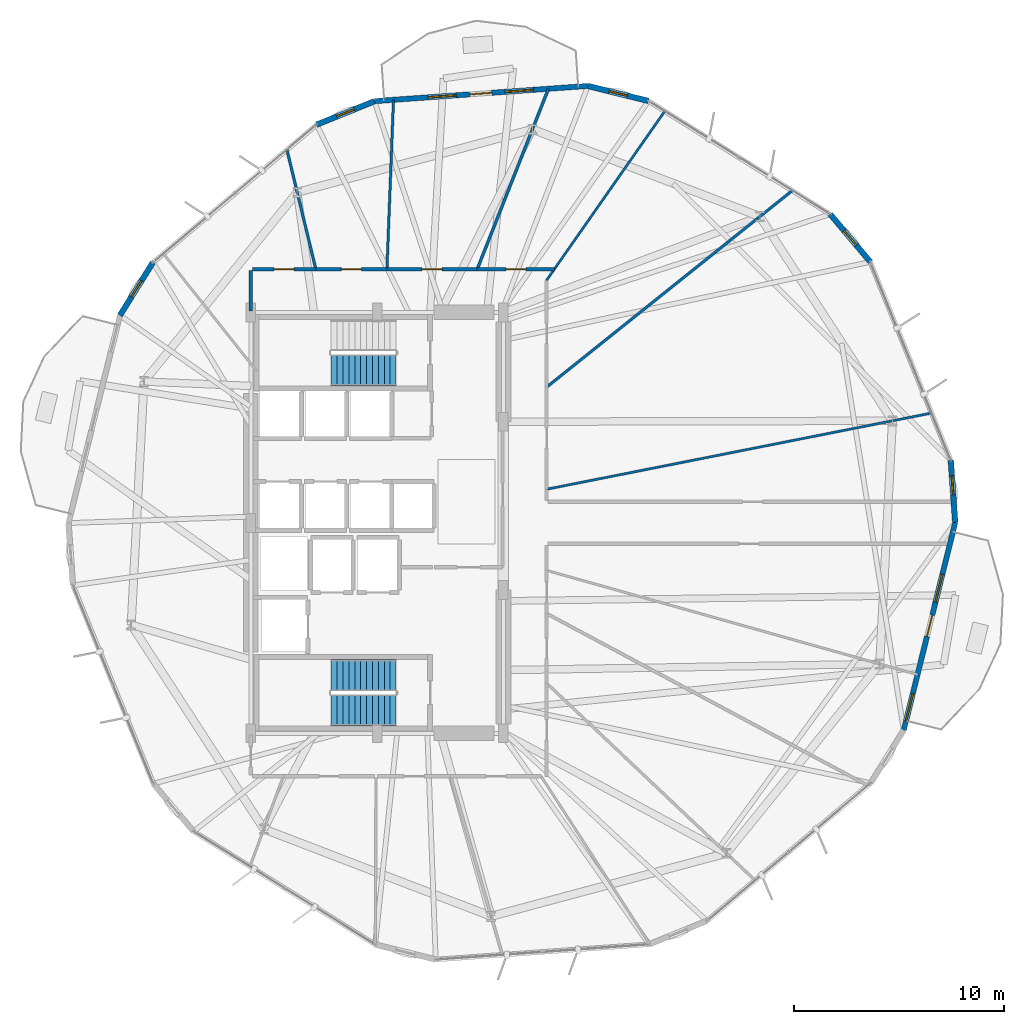
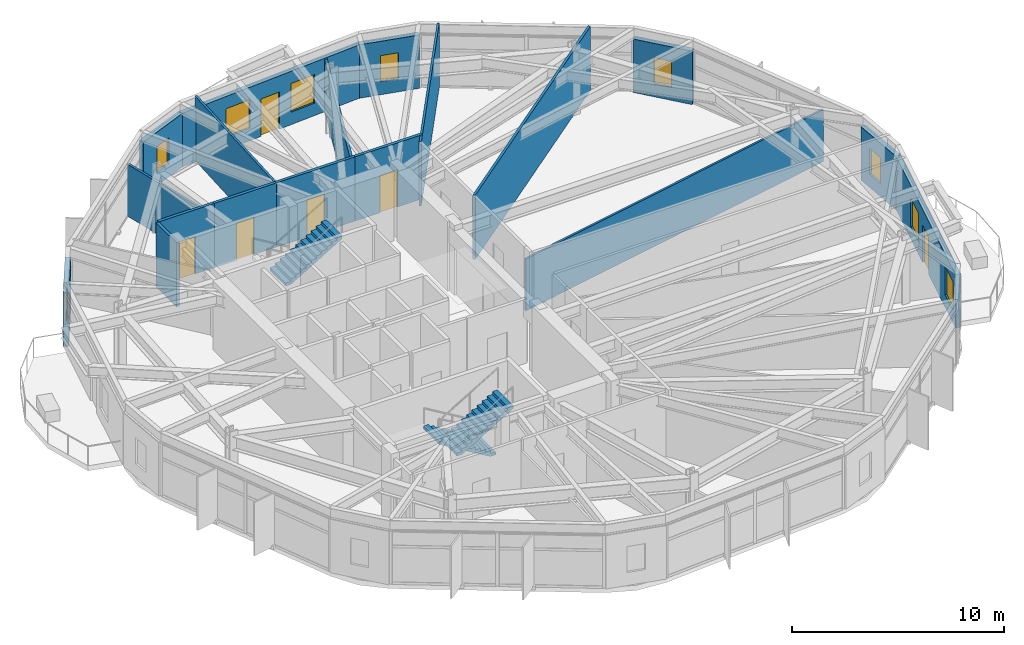
# One storey, part 18 of 22: 18 walls, 9 windows, 6 doors, 3 stair flights, 15 openings, 2 elements without a shape of their own.
"""IFC4 building model written with IfcOpenShell, lengths in metres."""

from ifc_helpers import new_model, si_unit, direction, frame, frame_2d, origin, place, context, subcontext, project, spatial, polyline, rectangle, outline, extrude, material, layer, layer_set, type_object, element, fill, aggregate, save


model = new_model("IFC4")

# Units and contexts
model_context = context("Model", 3, precision=1e-05, world=origin(), true_north=direction((0.0, 1.0)))
body_context = subcontext(model_context, "Body", "Model", "MODEL_VIEW")
ifc_project = project(units=[si_unit("LENGTHUNIT", "METRE"), si_unit("AREAUNIT", "SQUARE_METRE"), si_unit("VOLUMEUNIT", "CUBIC_METRE"), si_unit("PLANEANGLEUNIT", "RADIAN"), si_unit("MASSUNIT", "GRAM", prefix="KILO")], contexts=[model_context])

# Site, building, storey
site_placement = place(None, origin())
site = spatial("IfcSite", under=ifc_project, at=site_placement, CompositionType="ELEMENT")
building_placement = place(site_placement, origin())
building = spatial("IfcBuilding", under=site, at=building_placement, Name="Soratama Intermodal Tower", CompositionType="ELEMENT")
storey_placement = place(building_placement, frame((0.0, 0.0, 42.60009765625)))
storey = spatial("IfcBuildingStorey", under=building, at=storey_placement, Name="L09", CompositionType="ELEMENT", Elevation=42.60009765625)

# Wall, openings, door, windows
ifc_material_1 = material(Name="Concrete f'c 42 MPa", Category="concrete")
ifc_layer_1 = layer(ifc_material_1, 0.25)
ifc_layer_set_1 = layer_set([ifc_layer_1], Name="Concrete f'c 42 MPa")
wall_type_1 = type_object("IfcWallType", Name="EW-BAL-250", PredefinedType="SOLIDWALL", material=ifc_layer_set_1)
wall_1_placement = place(storey_placement, frame((48.615234375, 45.75244140625, 0.0), z_axis=(0.0, 0.0, 1.0), x_axis=(-0.997466374724, -0.071139519923, 0.0)))
wall_1 = element("IfcWall", 1, at=wall_1_placement, inside=storey, type_object=wall_type_1, Name="L09 Terrace Wall F03", PredefinedType="SOLIDWALL", context=body_context, shape_type="SweptSolid", body=[
    extrude(rectangle(XDim=10.1650390625, YDim=0.25, at=frame_2d((5.08251953125, 0.0))), origin(), (0.0, 0.0, 1.0), 3.078857421875),
])
opening_1_placement = place(wall_1_placement, frame((4.58251953125, 0.0, 0.0)))
opening_1 = element("IfcOpeningElement", 2, at=opening_1_placement, cuts=wall_1, Name="Opening ED-5", PredefinedType="OPENING", context=body_context, shape_type="SweptSolid", body=[
    extrude(rectangle(XDim=1.050048828125, YDim=2.14990234375, at=frame_2d((0.52490234375, 1.074951171875))), frame((0.0, 0.135009765625, 0.0), z_axis=(0.0, -1.0, 0.0), x_axis=(1.0, 0.0, 0.0)), (0.0, 0.0, 1.0), 0.27001953125),
])
opening_2_placement = place(wall_1_placement, frame((2.592529296875, 0.0, 0.719970703125)))
opening_2 = element("IfcOpeningElement", 3, at=opening_2_placement, cuts=wall_1, Name="Opening WN-4", PredefinedType="OPENING", context=body_context, shape_type="SweptSolid", body=[
    extrude(rectangle(XDim=1.35009765625, YDim=1.64990234375, at=frame_2d((0.675048828125, 0.824951171875))), frame((0.0, 0.135009765625, 0.0), z_axis=(0.0, -1.0, 0.0), x_axis=(1.0, 0.0, 0.0)), (0.0, 0.0, 1.0), 0.27001953125),
])
opening_3_placement = place(wall_1_placement, frame((6.272705078125, 0.0, 0.719970703125)))
opening_3 = element("IfcOpeningElement", 4, at=opening_3_placement, cuts=wall_1, Name="Opening WN-4", PredefinedType="OPENING", context=body_context, shape_type="SweptSolid", body=[
    extrude(rectangle(XDim=1.35009765625, YDim=1.64990234375, at=frame_2d((0.675048828125, 0.824951171875))), frame((0.0, 0.135009765625, 0.0), z_axis=(0.0, -1.0, 0.0), x_axis=(1.0, 0.0, 0.0)), (0.0, 0.0, 1.0), 0.27001953125),
])
ifc_material_2 = material(Name="Double-glazed aluminium door", Category="aluminium")
door_type_1 = type_object("IfcDoorType", Name="DR-BAL-1050", OperationType="NOTDEFINED", PredefinedType="DOOR", material=ifc_material_2)
door_1_placement = place(opening_1_placement, origin())
door_1 = element("IfcDoor", 5, at=door_1_placement, inside=storey, type_object=door_type_1, Name="L09 Balcony Door F03", OperationType="SINGLE_SWING_LEFT", OverallHeight=2.14990234375, OverallWidth=1.050048828125, PredefinedType="DOOR", context=body_context, shape_type="SweptSolid", body=[
    extrude(rectangle(XDim=1.050048828125, YDim=2.14990234375, at=frame_2d((0.52490234375, 1.074951171875))), frame((0.0, 0.02490234375, 0.0), z_axis=(0.0, -1.0, 0.0), x_axis=(1.0, 0.0, 0.0)), (0.0, 0.0, 1.0), 0.050048828125),
])
fill(opening_1, door_1)
ifc_material_3 = material(Name="Double-glazed aluminium window", Category="aluminium")
window_type_1 = type_object("IfcWindowType", Name="WN-FAC-1350", PartitioningType="SINGLE_PANEL", PredefinedType="WINDOW", material=ifc_material_3)
window_1_placement = place(opening_2_placement, origin())
window_1 = element("IfcWindow", 6, at=window_1_placement, inside=storey, type_object=window_type_1, Name="L09 Window A F03", OverallHeight=1.64990234375, OverallWidth=1.35009765625, PartitioningType="SINGLE_PANEL", PredefinedType="WINDOW", context=body_context, shape_type="SweptSolid", body=[
    extrude(rectangle(XDim=1.35009765625, YDim=1.64990234375, at=frame_2d((0.675048828125, 0.824951171875))), frame((0.0, 0.030029296875, 0.0), z_axis=(0.0, -1.0, 0.0), x_axis=(1.0, 0.0, 0.0)), (0.0, 0.0, 1.0), 0.06005859375),
])
fill(opening_2, window_1)
window_2_placement = place(opening_3_placement, origin())
window_2 = element("IfcWindow", 7, at=window_2_placement, inside=storey, type_object=window_type_1, Name="L09 Window B F03", OverallHeight=1.64990234375, OverallWidth=1.35009765625, PartitioningType="SINGLE_PANEL", PredefinedType="WINDOW", context=body_context, shape_type="SweptSolid", body=[
    extrude(rectangle(XDim=1.35009765625, YDim=1.64990234375, at=frame_2d((0.675048828125, 0.824951171875))), frame((0.0, 0.030029296875, 0.0), z_axis=(0.0, -1.0, 0.0), x_axis=(1.0, 0.0, 0.0)), (0.0, 0.0, 1.0), 0.06005859375),
])
fill(opening_3, window_2)

wall_2_placement = place(storey_placement, frame((63.61962890625, 15.148681640625, 0.0), z_axis=(0.0, 0.0, 1.0), x_axis=(0.2405572261, 0.970634957629, 0.0)))
wall_2 = element("IfcWall", 8, at=wall_2_placement, inside=storey, type_object=wall_type_1, Name="L09 Terrace Wall F10", PredefinedType="SOLIDWALL", context=body_context, shape_type="SweptSolid", body=[
    extrude(rectangle(XDim=10.165283203125, YDim=0.25, at=frame_2d((5.08251953125, 0.0))), origin(), (0.0, 0.0, 1.0), 3.078857421875),
])
opening_4_placement = place(wall_2_placement, frame((4.58251953125, 0.0, 0.0)))
opening_4 = element("IfcOpeningElement", 9, at=opening_4_placement, cuts=wall_2, Name="Opening ED-5", PredefinedType="OPENING", context=body_context, shape_type="SweptSolid", body=[
    extrude(rectangle(XDim=1.050048828125, YDim=2.14990234375, at=frame_2d((0.52490234375, 1.074951171875))), frame((0.0, 0.135009765625, 0.0), z_axis=(0.0, -1.0, 0.0), x_axis=(1.0, 0.0, 0.0)), (0.0, 0.0, 1.0), 0.27001953125),
])
opening_5_placement = place(wall_2_placement, frame((0.43994140625, 0.0, 0.719970703125)))
opening_5 = element("IfcOpeningElement", 10, at=opening_5_placement, cuts=wall_2, Name="Opening WN-4", PredefinedType="OPENING", context=body_context, shape_type="SweptSolid", body=[
    extrude(rectangle(XDim=1.35009765625, YDim=1.64990234375, at=frame_2d((0.675048828125, 0.824951171875))), frame((0.0, 0.135009765625, 0.0), z_axis=(0.0, -1.0, 0.0), x_axis=(1.0, 0.0, 0.0)), (0.0, 0.0, 1.0), 0.27001953125),
])
opening_6_placement = place(wall_2_placement, frame((6.272705078125, 0.0, 0.719970703125)))
opening_6 = element("IfcOpeningElement", 11, at=opening_6_placement, cuts=wall_2, Name="Opening WN-4", PredefinedType="OPENING", context=body_context, shape_type="SweptSolid", body=[
    extrude(rectangle(XDim=1.35009765625, YDim=1.64990234375, at=frame_2d((0.675048828125, 0.824951171875))), frame((0.0, 0.135009765625, 0.0), z_axis=(0.0, -1.0, 0.0), x_axis=(1.0, 0.0, 0.0)), (0.0, 0.0, 1.0), 0.27001953125),
])
door_2_placement = place(opening_4_placement, origin())
door_2 = element("IfcDoor", 12, at=door_2_placement, inside=storey, type_object=door_type_1, Name="L09 Balcony Door F10", OperationType="SINGLE_SWING_RIGHT", OverallHeight=2.14990234375, OverallWidth=1.050048828125, PredefinedType="DOOR", context=body_context, shape_type="SweptSolid", body=[
    extrude(rectangle(XDim=1.050048828125, YDim=2.14990234375, at=frame_2d((0.52490234375, 1.074951171875))), frame((0.0, 0.02490234375, 0.0), z_axis=(0.0, -1.0, 0.0), x_axis=(1.0, 0.0, 0.0)), (0.0, 0.0, 1.0), 0.050048828125),
])
fill(opening_4, door_2)
window_3_placement = place(opening_5_placement, origin())
window_3 = element("IfcWindow", 13, at=window_3_placement, inside=storey, type_object=window_type_1, Name="L09 Window A F10", OverallHeight=1.64990234375, OverallWidth=1.35009765625, PartitioningType="SINGLE_PANEL", PredefinedType="WINDOW", context=body_context, shape_type="SweptSolid", body=[
    extrude(rectangle(XDim=1.35009765625, YDim=1.64990234375, at=frame_2d((0.675048828125, 0.824951171875))), frame((0.0, 0.030029296875, 0.0), z_axis=(0.0, -1.0, 0.0), x_axis=(1.0, 0.0, 0.0)), (0.0, 0.0, 1.0), 0.06005859375),
])
fill(opening_5, window_3)
window_4_placement = place(opening_6_placement, origin())
window_4 = element("IfcWindow", 14, at=window_4_placement, inside=storey, type_object=window_type_1, Name="L09 Window B F10", OverallHeight=1.64990234375, OverallWidth=1.35009765625, PartitioningType="SINGLE_PANEL", PredefinedType="WINDOW", context=body_context, shape_type="SweptSolid", body=[
    extrude(rectangle(XDim=1.35009765625, YDim=1.64990234375, at=frame_2d((0.675048828125, 0.824951171875))), frame((0.0, 0.030029296875, 0.0), z_axis=(0.0, -1.0, 0.0), x_axis=(1.0, 0.0, 0.0)), (0.0, 0.0, 1.0), 0.06005859375),
])
fill(opening_6, window_4)

# Wall, opening, window
ifc_material_4 = material(Name="Concrete f'c 42 MPa", Category="concrete")
ifc_layer_2 = layer(ifc_material_4, 0.27001953125)
ifc_layer_set_2 = layer_set([ifc_layer_2], Name="Concrete f'c 42 MPa")
wall_type_2 = type_object("IfcWallType", Name="EW-CRN-270", PredefinedType="SOLIDWALL", material=ifc_layer_set_2)
wall_3_placement = place(storey_placement, frame((62.03271484375, 37.394287109375, 0.0), z_axis=(0.0, 0.0, 1.0), x_axis=(-0.643844242511, 0.765156579653, 0.0)))
wall_3 = element("IfcWall", 15, at=wall_3_placement, inside=storey, type_object=wall_type_2, Name="L09 Corner Closure Wall 01", PredefinedType="SOLIDWALL", context=body_context, shape_type="SweptSolid", body=[
    extrude(rectangle(XDim=2.96630859375, YDim=0.27001953125, at=frame_2d((1.483154296875, 0.0))), origin(), (0.0, 0.0, 1.0), 3.078857421875),
])
opening_7_placement = place(wall_3_placement, frame((1.033203125, 0.0, 0.75)))
opening_7 = element("IfcOpeningElement", 16, at=opening_7_placement, cuts=wall_3, Name="Opening WN-6", PredefinedType="OPENING", context=body_context, shape_type="SweptSolid", body=[
    extrude(rectangle(XDim=0.89990234375, YDim=1.5, at=frame_2d((0.449951171875, 0.75))), frame((0.0, 0.14501953125, 0.0), z_axis=(0.0, -1.0, 0.0), x_axis=(1.0, 0.0, 0.0)), (0.0, 0.0, 1.0), 0.2900390625),
])
ifc_material_5 = material(Name="Double-glazed aluminium window", Category="aluminium")
window_type_2 = type_object("IfcWindowType", Name="WN-FAC-900", PartitioningType="SINGLE_PANEL", PredefinedType="WINDOW", material=ifc_material_5)
window_5_placement = place(opening_7_placement, origin())
window_5 = element("IfcWindow", 17, at=window_5_placement, inside=storey, type_object=window_type_2, Name="L09 Corner Window 01", OverallHeight=1.5, OverallWidth=0.89990234375, PartitioningType="SINGLE_PANEL", PredefinedType="WINDOW", context=body_context, shape_type="SweptSolid", body=[
    extrude(rectangle(XDim=0.89990234375, YDim=1.5, at=frame_2d((0.449951171875, 0.75))), frame((0.0, 0.030029296875, 0.0), z_axis=(0.0, -1.0, 0.0), x_axis=(1.0, 0.0, 0.0)), (0.0, 0.0, 1.0), 0.06005859375),
])
fill(opening_7, window_5)

wall_4_placement = place(storey_placement, frame((51.49462890625, 45.038818359375, 0.0), z_axis=(0.0, 0.0, 1.0), x_axis=(-0.970634283387, 0.240559946612, 0.0)))
wall_4 = element("IfcWall", 18, at=wall_4_placement, inside=storey, type_object=wall_type_2, Name="L09 Corner Closure Wall 02", PredefinedType="SOLIDWALL", context=body_context, shape_type="SweptSolid", body=[
    extrude(rectangle(XDim=2.966552734375, YDim=0.27001953125, at=frame_2d((1.4833984375, 0.0))), origin(), (0.0, 0.0, 1.0), 3.078857421875),
])
opening_8_placement = place(wall_4_placement, frame((1.033203125, 0.0, 0.75)))
opening_8 = element("IfcOpeningElement", 19, at=opening_8_placement, cuts=wall_4, Name="Opening WN-6", PredefinedType="OPENING", context=body_context, shape_type="SweptSolid", body=[
    extrude(rectangle(XDim=0.89990234375, YDim=1.5, at=frame_2d((0.449951171875, 0.75))), frame((0.0, 0.14501953125, 0.0), z_axis=(0.0, -1.0, 0.0), x_axis=(1.0, 0.0, 0.0)), (0.0, 0.0, 1.0), 0.2900390625),
])
window_6_placement = place(opening_8_placement, origin())
window_6 = element("IfcWindow", 20, at=window_6_placement, inside=storey, type_object=window_type_2, Name="L09 Corner Window 02", OverallHeight=1.5, OverallWidth=0.89990234375, PartitioningType="SINGLE_PANEL", PredefinedType="WINDOW", context=body_context, shape_type="SweptSolid", body=[
    extrude(rectangle(XDim=0.89990234375, YDim=1.5, at=frame_2d((0.449951171875, 0.75))), frame((0.0, 0.030029296875, 0.0), z_axis=(0.0, -1.0, 0.0), x_axis=(1.0, 0.0, 0.0)), (0.0, 0.0, 1.0), 0.06005859375),
])
fill(opening_8, window_6)

wall_5_placement = place(storey_placement, frame((38.475830078125, 45.029296875, 0.0), z_axis=(0.0, 0.0, 1.0), x_axis=(-0.926649408299, -0.375926687132, 0.0)))
wall_5 = element("IfcWall", 21, at=wall_5_placement, inside=storey, type_object=wall_type_2, Name="L09 Corner Closure Wall 03", PredefinedType="SOLIDWALL", context=body_context, shape_type="SweptSolid", body=[
    extrude(rectangle(XDim=2.966552734375, YDim=0.27001953125, at=frame_2d((1.4833984375, 0.0))), origin(), (0.0, 0.0, 1.0), 3.078857421875),
])
opening_9_placement = place(wall_5_placement, frame((1.033203125, 0.0, 0.75)))
opening_9 = element("IfcOpeningElement", 22, at=opening_9_placement, cuts=wall_5, Name="Opening WN-6", PredefinedType="OPENING", context=body_context, shape_type="SweptSolid", body=[
    extrude(rectangle(XDim=0.89990234375, YDim=1.5, at=frame_2d((0.449951171875, 0.75))), frame((0.0, 0.14501953125, 0.0), z_axis=(0.0, -1.0, 0.0), x_axis=(1.0, 0.0, 0.0)), (0.0, 0.0, 1.0), 0.2900390625),
])
window_7_placement = place(opening_9_placement, origin())
window_7 = element("IfcWindow", 23, at=window_7_placement, inside=storey, type_object=window_type_2, Name="L09 Corner Window 03", OverallHeight=1.5, OverallWidth=0.89990234375, PartitioningType="SINGLE_PANEL", PredefinedType="WINDOW", context=body_context, shape_type="SweptSolid", body=[
    extrude(rectangle(XDim=0.89990234375, YDim=1.5, at=frame_2d((0.449951171875, 0.75))), frame((0.0, 0.030029296875, 0.0), z_axis=(0.0, -1.0, 0.0), x_axis=(1.0, 0.0, 0.0)), (0.0, 0.0, 1.0), 0.06005859375),
])
fill(opening_9, window_7)

wall_6_placement = place(storey_placement, frame((27.948974609375, 37.369140625, 0.0), z_axis=(0.0, 0.0, 1.0), x_axis=(-0.528777761123, -0.848760319137, 0.0)))
wall_6 = element("IfcWall", 24, at=wall_6_placement, inside=storey, type_object=wall_type_2, Name="L09 Corner Closure Wall 04", PredefinedType="SOLIDWALL", context=body_context, shape_type="SweptSolid", body=[
    extrude(rectangle(XDim=2.966552734375, YDim=0.27001953125, at=frame_2d((1.4833984375, 0.0))), origin(), (0.0, 0.0, 1.0), 3.078857421875),
])
opening_10_placement = place(wall_6_placement, frame((1.033203125, 0.0, 0.75)))
opening_10 = element("IfcOpeningElement", 25, at=opening_10_placement, cuts=wall_6, Name="Opening WN-6", PredefinedType="OPENING", context=body_context, shape_type="SweptSolid", body=[
    extrude(rectangle(XDim=0.89990234375, YDim=1.5, at=frame_2d((0.449951171875, 0.75))), frame((0.0, 0.14501953125, 0.0), z_axis=(0.0, -1.0, 0.0), x_axis=(1.0, 0.0, 0.0)), (0.0, 0.0, 1.0), 0.2900390625),
])
window_8_placement = place(opening_10_placement, origin())
window_8 = element("IfcWindow", 26, at=window_8_placement, inside=storey, type_object=window_type_2, Name="L09 Corner Window 04", OverallHeight=1.5, OverallWidth=0.89990234375, PartitioningType="SINGLE_PANEL", PredefinedType="WINDOW", context=body_context, shape_type="SweptSolid", body=[
    extrude(rectangle(XDim=0.89990234375, YDim=1.5, at=frame_2d((0.449951171875, 0.75))), frame((0.0, 0.030029296875, 0.0), z_axis=(0.0, -1.0, 0.0), x_axis=(1.0, 0.0, 0.0)), (0.0, 0.0, 1.0), 0.06005859375),
])
fill(opening_10, window_8)

wall_7_placement = place(storey_placement, frame((66.06494140625, 25.015380859375, 0.0), z_axis=(0.0, 0.0, 1.0), x_axis=(-0.071100844018, 0.997469132344, 0.0)))
wall_7 = element("IfcWall", 27, at=wall_7_placement, inside=storey, type_object=wall_type_2, Name="L09 Corner Closure Wall 10", PredefinedType="SOLIDWALL", context=body_context, shape_type="SweptSolid", body=[
    extrude(rectangle(XDim=2.966796875, YDim=0.27001953125, at=frame_2d((1.4833984375, 0.0))), origin(), (0.0, 0.0, 1.0), 3.078857421875),
])
opening_11_placement = place(wall_7_placement, frame((1.324951171875, 0.0, 0.75)))
opening_11 = element("IfcOpeningElement", 28, at=opening_11_placement, cuts=wall_7, Name="Opening WN-6", PredefinedType="OPENING", context=body_context, shape_type="SweptSolid", body=[
    extrude(rectangle(XDim=0.89990234375, YDim=1.5, at=frame_2d((0.449951171875, 0.75))), frame((0.0, 0.14501953125, 0.0), z_axis=(0.0, -1.0, 0.0), x_axis=(1.0, 0.0, 0.0)), (0.0, 0.0, 1.0), 0.2900390625),
])
window_9_placement = place(opening_11_placement, origin())
window_9 = element("IfcWindow", 29, at=window_9_placement, inside=storey, type_object=window_type_2, Name="L09 Corner Window 10", OverallHeight=1.5, OverallWidth=0.89990234375, PartitioningType="SINGLE_PANEL", PredefinedType="WINDOW", context=body_context, shape_type="SweptSolid", body=[
    extrude(rectangle(XDim=0.89990234375, YDim=1.5, at=frame_2d((0.449951171875, 0.75))), frame((0.0, 0.030029296875, 0.0), z_axis=(0.0, -1.0, 0.0), x_axis=(1.0, 0.0, 0.0)), (0.0, 0.0, 1.0), 0.06005859375),
])
fill(opening_11, window_9)

# Wall, opening, door
ifc_material_6 = material(Name="Fire-rated gypsum stud partition", Category="concrete")
ifc_layer_3 = layer(ifc_material_6, 0.159912109375)
ifc_layer_set_3 = layer_set([ifc_layer_3], Name="Fire-rated gypsum stud partition")
wall_type_3 = type_object("IfcWallType", Name="IW-PART-R160", PredefinedType="PARTITIONING", material=ifc_layer_set_3)
wall_8_placement = place(storey_placement, frame((39.06689453125, 37.050048828125, 0.0), z_axis=(0.0, 0.0, 1.0), x_axis=(1.0, 0.0, 0.0)))
wall_8 = element("IfcWall", 30, at=wall_8_placement, inside=storey, type_object=wall_type_3, Name="L09 Partition W-L09-TP023", PredefinedType="PARTITIONING", context=body_context, shape_type="SweptSolid", body=[
    extrude(rectangle(XDim=4.2900390625, YDim=0.159912109375, at=frame_2d((2.14501953125, 0.0))), origin(), (0.0, 0.0, 1.0), 3.699951171875),
])
opening_12_placement = place(wall_8_placement, frame((1.669921875, 0.0, 0.0)))
opening_12 = element("IfcOpeningElement", 31, at=opening_12_placement, cuts=wall_8, Name="Opening ID-3", PredefinedType="OPENING", context=body_context, shape_type="SweptSolid", body=[
    extrude(rectangle(XDim=0.949951171875, YDim=2.14990234375, at=frame_2d((0.47509765625, 1.074951171875))), frame((0.0, 0.08984375, 0.0), z_axis=(0.0, -1.0, 0.0), x_axis=(1.0, 0.0, 0.0)), (0.0, 0.0, 1.0), 0.179931640625),
])
ifc_material_7 = material(Name="Solid hardwood acoustic door", Category="wood")
door_type_2 = type_object("IfcDoorType", Name="DR-ROOM-950", OperationType="NOTDEFINED", PredefinedType="DOOR", material=ifc_material_7)
door_3_placement = place(opening_12_placement, origin())
door_3 = element("IfcDoor", 32, at=door_3_placement, inside=storey, type_object=door_type_2, Name="L09 Door D-L09-TP009", OperationType="SINGLE_SWING_RIGHT", OverallHeight=2.14990234375, OverallWidth=0.949951171875, PredefinedType="DOOR", context=body_context, shape_type="SweptSolid", body=[
    extrude(rectangle(XDim=0.949951171875, YDim=2.14990234375, at=frame_2d((0.47509765625, 1.074951171875))), frame((0.0, 0.02490234375, 0.0), z_axis=(0.0, -1.0, 0.0), x_axis=(1.0, 0.0, 0.0)), (0.0, 0.0, 1.0), 0.050048828125),
])
fill(opening_12, door_3)

wall_9_placement = place(storey_placement, frame((43.35693359375, 37.050048828125, 0.0), z_axis=(0.0, 0.0, 1.0), x_axis=(1.0, 0.0, 0.0)))
wall_9 = element("IfcWall", 33, at=wall_9_placement, inside=storey, type_object=wall_type_3, Name="L09 Partition W-L09-TP024", PredefinedType="PARTITIONING", context=body_context, shape_type="SweptSolid", body=[
    extrude(rectangle(XDim=3.6640625, YDim=0.159912109375, at=frame_2d((1.83203125, 0.0))), origin(), (0.0, 0.0, 1.0), 3.699951171875),
])
opening_13_placement = place(wall_9_placement, frame((1.35693359375, 0.0, 0.0)))
opening_13 = element("IfcOpeningElement", 34, at=opening_13_placement, cuts=wall_9, Name="Opening ID-3", PredefinedType="OPENING", context=body_context, shape_type="SweptSolid", body=[
    extrude(rectangle(XDim=0.949951171875, YDim=2.14990234375, at=frame_2d((0.47509765625, 1.074951171875))), frame((0.0, 0.08984375, 0.0), z_axis=(0.0, -1.0, 0.0), x_axis=(1.0, 0.0, 0.0)), (0.0, 0.0, 1.0), 0.179931640625),
])
door_4_placement = place(opening_13_placement, origin())
door_4 = element("IfcDoor", 35, at=door_4_placement, inside=storey, type_object=door_type_2, Name="L09 Door D-L09-TP010", OperationType="SINGLE_SWING_LEFT", OverallHeight=2.14990234375, OverallWidth=0.949951171875, PredefinedType="DOOR", context=body_context, shape_type="SweptSolid", body=[
    extrude(rectangle(XDim=0.949951171875, YDim=2.14990234375, at=frame_2d((0.47509765625, 1.074951171875))), frame((0.0, 0.02490234375, 0.0), z_axis=(0.0, -1.0, 0.0), x_axis=(1.0, 0.0, 0.0)), (0.0, 0.0, 1.0), 0.050048828125),
])
fill(opening_13, door_4)

wall_10_placement = place(storey_placement, frame((35.68701171875, 37.050048828125, 0.0), z_axis=(0.0, 0.0, 1.0), x_axis=(1.0, 0.0, 0.0)))
wall_10 = element("IfcWall", 36, at=wall_10_placement, inside=storey, type_object=wall_type_3, Name="L09 Partition W-L09-TP026", PredefinedType="PARTITIONING", context=body_context, shape_type="SweptSolid", body=[
    extrude(rectangle(XDim=3.3798828125, YDim=0.159912109375, at=frame_2d((1.68994140625, 0.0))), origin(), (0.0, 0.0, 1.0), 3.699951171875),
])
opening_14_placement = place(wall_10_placement, frame((1.215087890625, 0.0, 0.0)))
opening_14 = element("IfcOpeningElement", 37, at=opening_14_placement, cuts=wall_10, Name="Opening ID-3", PredefinedType="OPENING", context=body_context, shape_type="SweptSolid", body=[
    extrude(rectangle(XDim=0.949951171875, YDim=2.14990234375, at=frame_2d((0.47509765625, 1.074951171875))), frame((0.0, 0.08984375, 0.0), z_axis=(0.0, -1.0, 0.0), x_axis=(1.0, 0.0, 0.0)), (0.0, 0.0, 1.0), 0.179931640625),
])
door_5_placement = place(opening_14_placement, origin())
door_5 = element("IfcDoor", 38, at=door_5_placement, inside=storey, type_object=door_type_2, Name="L09 Door D-L09-TP012", OperationType="SINGLE_SWING_LEFT", OverallHeight=2.14990234375, OverallWidth=0.949951171875, PredefinedType="DOOR", context=body_context, shape_type="SweptSolid", body=[
    extrude(rectangle(XDim=0.949951171875, YDim=2.14990234375, at=frame_2d((0.47509765625, 1.074951171875))), frame((0.0, 0.02490234375, 0.0), z_axis=(0.0, -1.0, 0.0), x_axis=(1.0, 0.0, 0.0)), (0.0, 0.0, 1.0), 0.050048828125),
])
fill(opening_14, door_5)

wall_11_placement = place(storey_placement, frame((32.669921875, 37.050048828125, 0.0), z_axis=(0.0, 0.0, 1.0), x_axis=(1.0, 0.0, 0.0)))
wall_11 = element("IfcWall", 39, at=wall_11_placement, inside=storey, type_object=wall_type_3, Name="L09 Partition W-L09-TP029", PredefinedType="PARTITIONING", context=body_context, shape_type="SweptSolid", body=[
    extrude(rectangle(XDim=3.01708984375, YDim=0.159912109375, at=frame_2d((1.508544921875, 0.0))), origin(), (0.0, 0.0, 1.0), 3.699951171875),
])
opening_15_placement = place(wall_11_placement, frame((1.032958984375, 0.0, 0.0)))
opening_15 = element("IfcOpeningElement", 40, at=opening_15_placement, cuts=wall_11, Name="Opening ID-3", PredefinedType="OPENING", context=body_context, shape_type="SweptSolid", body=[
    extrude(rectangle(XDim=0.949951171875, YDim=2.14990234375, at=frame_2d((0.47509765625, 1.074951171875))), frame((0.0, 0.08984375, 0.0), z_axis=(0.0, -1.0, 0.0), x_axis=(1.0, 0.0, 0.0)), (0.0, 0.0, 1.0), 0.179931640625),
])
door_6_placement = place(opening_15_placement, origin())
door_6 = element("IfcDoor", 41, at=door_6_placement, inside=storey, type_object=door_type_2, Name="L09 Door D-L09-TP015", OperationType="SINGLE_SWING_RIGHT", OverallHeight=2.14990234375, OverallWidth=0.949951171875, PredefinedType="DOOR", context=body_context, shape_type="SweptSolid", body=[
    extrude(rectangle(XDim=0.949951171875, YDim=2.14990234375, at=frame_2d((0.47509765625, 1.074951171875))), frame((0.0, 0.02490234375, 0.0), z_axis=(0.0, -1.0, 0.0), x_axis=(1.0, 0.0, 0.0)), (0.0, 0.0, 1.0), 0.050048828125),
])
fill(opening_15, door_6)

# Walls
wall_12_placement = place(storey_placement, frame((32.60009765625, 35.070068359375, 0.0), z_axis=(0.0, 0.0, 1.0), x_axis=(0.0, 1.0, 0.0)))
element("IfcWall", 42, at=wall_12_placement, inside=storey, type_object=wall_type_3, Name="L09 Partition W-L09-TP033", PredefinedType="PARTITIONING", context=body_context, shape_type="SweptSolid", body=[
    extrude(rectangle(XDim=1.909912109375, YDim=0.159912109375, at=frame_2d((0.955078125, 0.0))), origin(), (0.0, 0.0, 1.0), 3.699951171875),
])
ifc_material_8 = material(Name="Fire-rated gypsum stud partition", Category="concrete")
ifc_layer_4 = layer(ifc_material_8, 0.110107421875)
ifc_layer_set_4 = layer_set([ifc_layer_4], Name="Fire-rated gypsum stud partition")
wall_type_4 = type_object("IfcWallType", Name="IW-PART-S110", PredefinedType="PARTITIONING", material=ifc_layer_set_4)
wall_13_placement = place(storey_placement, frame((46.64990234375, 26.593017578125, 0.0), z_axis=(0.0, 0.0, 1.0), x_axis=(0.98097190597, 0.19414973525, 0.0)))
element("IfcWall", 43, at=wall_13_placement, inside=storey, type_object=wall_type_4, Name="L09 Partition W-L09-TP003", PredefinedType="PARTITIONING", context=body_context, shape_type="SweptSolid", body=[
    extrude(rectangle(XDim=18.651123046875, YDim=0.110107421875, at=frame_2d((9.32568359375, 0.0))), origin(), (0.0, 0.0, 1.0), 2.994873046875),
])
wall_14_placement = place(storey_placement, frame((46.64990234375, 36.51904296875, 0.0), z_axis=(0.0, 0.0, 1.0), x_axis=(0.572892452381, 0.819630549702, 0.0)))
element("IfcWall", 44, at=wall_14_placement, inside=storey, type_object=wall_type_4, Name="L09 Partition W-L09-TP008", PredefinedType="PARTITIONING", context=body_context, shape_type="SweptSolid", body=[
    extrude(rectangle(XDim=9.806640625, YDim=0.110107421875, at=frame_2d((4.9033203125, 0.0))), origin(), (0.0, 0.0, 1.0), 3.699951171875),
])
ifc_material_9 = material(Name="Fire-rated gypsum stud partition", Category="concrete")
ifc_layer_5 = layer(ifc_material_9, 0.1201171875)
ifc_layer_set_5 = layer_set([ifc_layer_5], Name="Fire-rated gypsum stud partition")
wall_type_5 = type_object("IfcWallType", Name="IW-PART-S120", PredefinedType="PARTITIONING", material=ifc_layer_set_5)
wall_15_placement = place(storey_placement, frame((39.06689453125, 37.050048828125, 0.0), z_axis=(0.0, 0.0, 1.0), x_axis=(0.038759247382, 0.999248578054, 0.0)))
element("IfcWall", 45, at=wall_15_placement, inside=storey, type_object=wall_type_5, Name="L09 Partition W-L09-TP012", PredefinedType="PARTITIONING", context=body_context, shape_type="SweptSolid", body=[
    extrude(rectangle(XDim=8.050048828125, YDim=0.1201171875, at=frame_2d((4.02490234375, 0.0))), origin(), (0.0, 0.0, 1.0), 3.699951171875),
])
ifc_material_10 = material(Name="Fire-rated gypsum stud partition", Category="concrete")
ifc_layer_6 = layer(ifc_material_10, 0.1298828125)
ifc_layer_set_6 = layer_set([ifc_layer_6], Name="Fire-rated gypsum stud partition")
wall_type_6 = type_object("IfcWallType", Name="IW-PART-S130", PredefinedType="PARTITIONING", material=ifc_layer_set_6)
wall_16_placement = place(storey_placement, frame((46.64990234375, 31.44189453125, 0.0), z_axis=(0.0, 0.0, 1.0), x_axis=(0.780828986404, 0.6247448231, 0.0)))
element("IfcWall", 46, at=wall_16_placement, inside=storey, type_object=wall_type_6, Name="L09 Partition W-L09-TP006", PredefinedType="PARTITIONING", context=body_context, shape_type="SweptSolid", body=[
    extrude(rectangle(XDim=14.953369140625, YDim=0.1298828125, at=frame_2d((7.4765625, 0.0))), origin(), (0.0, 0.0, 1.0), 3.699951171875),
])
wall_17_placement = place(storey_placement, frame((35.68701171875, 37.050048828125, 0.0), z_axis=(0.0, 0.0, 1.0), x_axis=(-0.234963384599, 0.97200422216, 0.0)))
element("IfcWall", 47, at=wall_17_placement, inside=storey, type_object=wall_type_6, Name="L09 Partition W-L09-TP016", PredefinedType="PARTITIONING", context=body_context, shape_type="SweptSolid", body=[
    extrude(rectangle(XDim=5.839599609375, YDim=0.1298828125, at=frame_2d((2.919921875, 0.0))), origin(), (0.0, 0.0, 1.0), 2.994873046875),
])
ifc_material_11 = material(Name="Fire-rated gypsum stud partition", Category="concrete")
ifc_layer_7 = layer(ifc_material_11, 0.139892578125)
ifc_layer_set_7 = layer_set([ifc_layer_7], Name="Fire-rated gypsum stud partition")
wall_type_7 = type_object("IfcWallType", Name="IW-PART-S140", PredefinedType="PARTITIONING", material=ifc_layer_set_7)
wall_18_placement = place(storey_placement, frame((43.35693359375, 37.050048828125, 0.0), z_axis=(0.0, 0.0, 1.0), x_axis=(0.367224458335, 0.930132354668, 0.0)))
element("IfcWall", 48, at=wall_18_placement, inside=storey, type_object=wall_type_7, Name="L09 Partition W-L09-TP010", PredefinedType="PARTITIONING", context=body_context, shape_type="SweptSolid", body=[
    extrude(rectangle(XDim=9.21240234375, YDim=0.139892578125, at=frame_2d((4.606201171875, 0.0))), origin(), (0.0, 0.0, 1.0), 2.994873046875),
])

# Stair, stair flights
ifc_material_12 = material(Name="Concrete f'c 42 MPa", Category="concrete")
stair_type = type_object("IfcStairType", Name="ST-CORE-DOGLEG", PredefinedType="HALF_TURN_STAIR", material=ifc_material_12)
stair_1_placement = place(storey_placement, origin())
stair_1 = element("IfcStair", 49, at=stair_1_placement, inside=storey, type_object=stair_type, Name="L09 ST-1", PredefinedType="HALF_TURN_STAIR")
ifc_material_13 = material(Name="Precast concrete f'c 40 MPa", Category="concrete")
ifc_layer_8 = layer(ifc_material_13, 0.199951171875)
ifc_layer_set_8 = layer_set([ifc_layer_8], Name="Precast concrete f'c 40 MPa")
stair_flight_type = type_object("IfcStairFlightType", Name="SF-FLIGHT-RC", PredefinedType="STRAIGHT", material=ifc_layer_set_8)
stair_flight_1_placement = place(storey_placement, frame((39.5, 17.75, 0.0), z_axis=(0.0, 0.0, 1.0), x_axis=(-1.0, 0.0, 0.0)))
stair_flight_1 = element("IfcStairFlight", 50, at=stair_flight_1_placement, type_object=stair_flight_type, Name="ST-1 flight 1", NumberOfRisers=12, NumberOfTreads=11, PredefinedType="STRAIGHT", RiserHeight=0.166666667, TreadLength=0.28, context=body_context, shape_type="SweptSolid", body=[
    extrude(outline(polyline([(0.0, 0.0), (0.0, 0.166748046875), (0.280029296875, 0.166748046875), (0.280029296875, 0.333251953125), (0.56005859375, 0.333251953125), (0.56005859375, 0.5), (0.840087890625, 0.5), (0.840087890625, 0.666748046875), (1.1201171875, 0.666748046875), (1.1201171875, 0.833251953125), (1.39990234375, 0.833251953125), (1.39990234375, 1.0), (1.679931640625, 1.0), (1.679931640625, 1.166748046875), (1.9599609375, 1.166748046875), (1.9599609375, 1.333251953125), (2.239990234375, 1.333251953125), (2.239990234375, 1.5), (2.52001953125, 1.5), (2.52001953125, 1.666748046875), (2.800048828125, 1.666748046875), (2.800048828125, 1.833251953125), (3.080078125, 1.833251953125), (3.080078125, 2.0), (3.080078125, 1.658935546875), (0.29296875, 0.0), (0.0, 0.0)])), frame((0.0, 0.75, 0.0), z_axis=(0.0, -1.0, 0.0), x_axis=(1.0, 0.0, 0.0)), (0.0, 0.0, 1.0), 1.5),
])
stair_flight_2_placement = place(storey_placement, frame((36.419921875, 16.10009765625, 2.0), z_axis=(0.0, 0.0, 1.0), x_axis=(1.0, 0.0, 0.0)))
stair_flight_2 = element("IfcStairFlight", 51, at=stair_flight_2_placement, type_object=stair_flight_type, Name="ST-1 flight 2", NumberOfRisers=12, NumberOfTreads=11, PredefinedType="STRAIGHT", RiserHeight=0.166666667, TreadLength=0.28, context=body_context, shape_type="SweptSolid", body=[
    extrude(outline(polyline([(0.0, 0.0), (0.0, 0.166748046875), (0.280029296875, 0.166748046875), (0.280029296875, 0.333251953125), (0.56005859375, 0.333251953125), (0.56005859375, 0.5), (0.840087890625, 0.5), (0.840087890625, 0.666748046875), (1.1201171875, 0.666748046875), (1.1201171875, 0.833251953125), (1.39990234375, 0.833251953125), (1.39990234375, 1.0), (1.679931640625, 1.0), (1.679931640625, 1.166748046875), (1.9599609375, 1.166748046875), (1.9599609375, 1.333251953125), (2.239990234375, 1.333251953125), (2.239990234375, 1.5), (2.52001953125, 1.5), (2.52001953125, 1.666748046875), (2.800048828125, 1.666748046875), (2.800048828125, 1.833251953125), (3.080078125, 1.833251953125), (3.080078125, 2.0), (3.080078125, 1.658935546875), (0.29296875, 0.0), (0.0, 0.0)])), frame((0.0, 0.75, 0.0), z_axis=(0.0, -1.0, 0.0), x_axis=(1.0, 0.0, 0.0)), (0.0, 0.0, 1.0), 1.5),
])
aggregate(stair_1, [stair_flight_1, stair_flight_2])

# Stair, stair flight
stair_2_placement = place(storey_placement, origin())
stair_2 = element("IfcStair", 52, at=stair_2_placement, inside=storey, type_object=stair_type, Name="L09 ST-2", PredefinedType="HALF_TURN_STAIR")
stair_flight_3_placement = place(storey_placement, frame((36.419921875, 32.25, 2.0), z_axis=(0.0, 0.0, 1.0), x_axis=(1.0, 0.0, 0.0)))
stair_flight_3 = element("IfcStairFlight", 53, at=stair_flight_3_placement, type_object=stair_flight_type, Name="ST-2 flight 2", NumberOfRisers=12, NumberOfTreads=11, PredefinedType="STRAIGHT", RiserHeight=0.166666667, TreadLength=0.28, context=body_context, shape_type="SweptSolid", body=[
    extrude(outline(polyline([(0.0, 0.0), (0.0, 0.166748046875), (0.280029296875, 0.166748046875), (0.280029296875, 0.333251953125), (0.56005859375, 0.333251953125), (0.56005859375, 0.5), (0.840087890625, 0.5), (0.840087890625, 0.666748046875), (1.1201171875, 0.666748046875), (1.1201171875, 0.833251953125), (1.39990234375, 0.833251953125), (1.39990234375, 1.0), (1.679931640625, 1.0), (1.679931640625, 1.166748046875), (1.9599609375, 1.166748046875), (1.9599609375, 1.333251953125), (2.239990234375, 1.333251953125), (2.239990234375, 1.5), (2.52001953125, 1.5), (2.52001953125, 1.666748046875), (2.800048828125, 1.666748046875), (2.800048828125, 1.833251953125), (3.080078125, 1.833251953125), (3.080078125, 2.0), (3.080078125, 1.658935546875), (0.29296875, 0.0), (0.0, 0.0)])), frame((0.0, 0.75, 0.0), z_axis=(0.0, -1.0, 0.0), x_axis=(1.0, 0.0, 0.0)), (0.0, 0.0, 1.0), 1.5),
])
aggregate(stair_2, [stair_flight_3])

save(model, "model.ifc")
